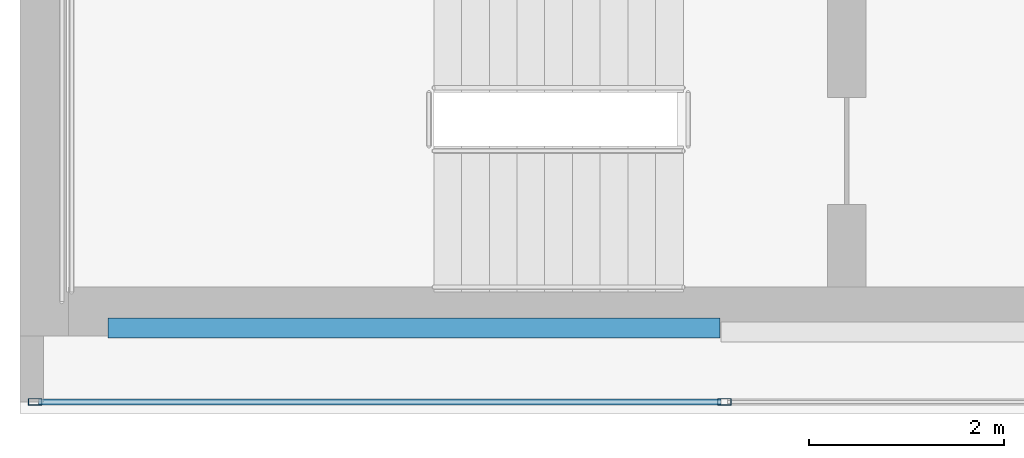
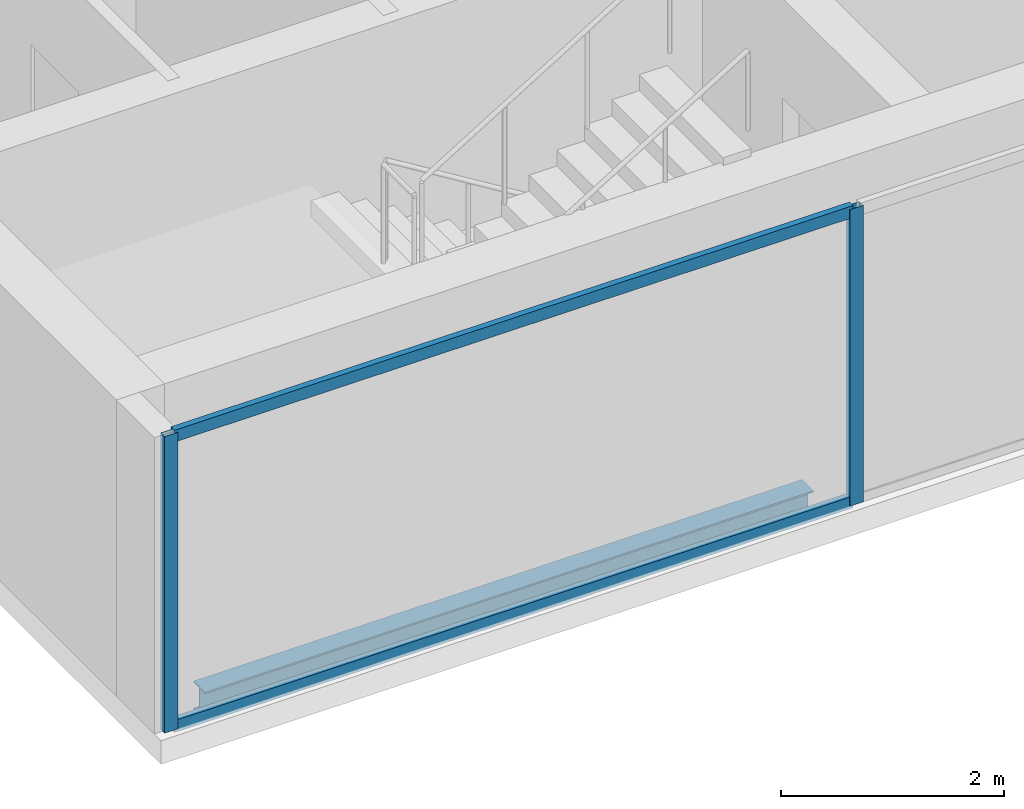
# One storey, part 2 of 23: 4 members, 1 beam, 1 element without a shape of its own.
"""IFC4 building model written with IfcOpenShell, lengths in metres."""

from ifc_helpers import new_model, si_unit, direction, frame, origin, origin_2d, place, context, subcontext, project, spatial, hollow_rectangle, i_section, extrude, material, material_profile, profile_set, type_object, element, aggregate, save


model = new_model("IFC4")

# Units and contexts
model_context = context("Model", 3, precision=1e-05, world=origin(), true_north=direction((0.0, 1.0)))
body_context = subcontext(model_context, "Body", "Model", "MODEL_VIEW")
ifc_project = project(units=[si_unit("LENGTHUNIT", "METRE"), si_unit("AREAUNIT", "SQUARE_METRE"), si_unit("VOLUMEUNIT", "CUBIC_METRE"), si_unit("PLANEANGLEUNIT", "RADIAN"), si_unit("MASSUNIT", "GRAM", prefix="KILO")], contexts=[model_context])

# Site, building, storey
site_placement = place(None, origin())
site = spatial("IfcSite", under=ifc_project, at=site_placement, CompositionType="ELEMENT")
building_placement = place(site_placement, origin())
building = spatial("IfcBuilding", under=site, at=building_placement, Name="Cobrela Telecom Tower", CompositionType="ELEMENT")
storey_placement = place(building_placement, frame((0.0, 0.0, 272.64990234375)))
storey = spatial("IfcBuildingStorey", under=building, at=storey_placement, Name="L71", CompositionType="ELEMENT", Elevation=272.64990234375)

# Beam
ifc_material_1 = material(Name="Steel ASTM A992 Grade 50", Category="steel")
ifc_material_profile_1 = material_profile(ifc_material_1, i_section(OverallWidth=0.205078125, OverallDepth=0.31005859375, WebThickness=0.009521484375, FlangeThickness=0.016357421875, FilletRadius=0.010986328125, at=origin_2d()), Name="W12X50")
ifc_profile_set_1 = profile_set([ifc_material_profile_1], Name="Steel ASTM A992 Grade 50")
beam_type = type_object("IfcBeamType", Name="BM-SPAND-07", PredefinedType="SPANDREL", material=ifc_profile_set_1)
beam_placement = place(storey_placement, frame((0.905029296875, 7.280029296875, -0.414794921875), z_axis=(1.0, 0.0, 0.0), x_axis=(0.0, 1.0, 0.0)))
element("IfcBeam", 1, at=beam_placement, inside=storey, type_object=beam_type, Name="L71 Perimeter Spandrel X01", PredefinedType="SPANDREL", context=body_context, shape_type="SweptSolid", body=[
    extrude(i_section(OverallWidth=0.205078125, OverallDepth=0.31005859375, WebThickness=0.009521484375, FlangeThickness=0.016357421875, FilletRadius=0.010986328125, at=origin_2d()), origin(), (0.0, 0.0, 1.0), 6.2900390625),
])

# Curtain wall, members
ifc_material_2 = material(Name="Anodized Bronze Aluminium 6063-T6", Category="aluminium")
curtain_wall_type = type_object("IfcCurtainWallType", Name="CW-SYS-OFF-HI", PredefinedType="USERDEFINED", material=ifc_material_2)
curtain_wall_placement = place(storey_placement, origin())
curtain_wall = element("IfcCurtainWall", 2, at=curtain_wall_placement, inside=storey, type_object=curtain_wall_type, Name="L71 Unitised Bronze Curtain Wall 15", ObjectType="UNITISED CURTAIN WALL", PredefinedType="USERDEFINED")
ifc_material_profile_2 = material_profile(ifc_material_2, hollow_rectangle(XDim=0.070068359375, YDim=0.139892578125, WallThickness=0.00390625, at=origin_2d()), Name="ALU 70x140x4")
ifc_profile_set_2 = profile_set([ifc_material_profile_2], Name="Anodized Bronze Aluminium 6063-T6")
member_type_1 = type_object("IfcMemberType", Name="CW-SYS-OFF-HI-MUL", PredefinedType="MULLION", material=ifc_profile_set_2)
member_1_placement = place(storey_placement, frame((7.24169921875, 6.52001953125, 0.0), z_axis=(0.0, 0.0, 1.0), x_axis=(0.0, -1.0, 0.0)))
member_1 = element("IfcMember", 3, at=member_1_placement, type_object=member_type_1, Name="CW-OFF-HI mullion 6", PredefinedType="MULLION", context=body_context, shape_type="SweptSolid", body=[
    extrude(hollow_rectangle(XDim=0.070068359375, YDim=0.139892578125, WallThickness=0.00390625, at=origin_2d()), origin(), (0.0, 0.0, 1.0), 3.239990234375),
])
member_2_placement = place(storey_placement, frame((0.155029296875, 6.52001953125, 0.0), z_axis=(0.0, 0.0, 1.0), x_axis=(0.0, -1.0, 0.0)))
member_2 = element("IfcMember", 4, at=member_2_placement, type_object=member_type_1, Name="CW-OFF-HI mullion 7", PredefinedType="MULLION", context=body_context, shape_type="SweptSolid", body=[
    extrude(hollow_rectangle(XDim=0.070068359375, YDim=0.139892578125, WallThickness=0.00390625, at=origin_2d()), origin(), (0.0, 0.0, 1.0), 3.239990234375),
])
ifc_material_profile_3 = material_profile(ifc_material_2, hollow_rectangle(XDim=0.06494140625, YDim=0.1298828125, WallThickness=0.00390625, at=origin_2d()), Name="ALU 65x130x4")
ifc_profile_set_3 = profile_set([ifc_material_profile_3], Name="Anodized Bronze Aluminium 6063-T6")
member_type_2 = type_object("IfcMemberType", Name="CW-SYS-OFF-HI-TRN", PredefinedType="USERDEFINED", material=ifc_profile_set_3)
member_3_placement = place(storey_placement, frame((7.206787109375, 6.52001953125, 0.03271484375), z_axis=(-1.0, 0.0, 0.0), x_axis=(0.0, -1.0, 0.0)))
member_3 = element("IfcMember", 5, at=member_3_placement, type_object=member_type_2, Name="CW-OFF-HI transom 6.1", ObjectType="TRANSOM", PredefinedType="USERDEFINED", context=body_context, shape_type="SweptSolid", body=[
    extrude(hollow_rectangle(XDim=0.06494140625, YDim=0.1298828125, WallThickness=0.00390625, at=origin_2d()), origin(), (0.0, 0.0, 1.0), 7.016845703125),
])
member_4_placement = place(storey_placement, frame((7.206787109375, 6.52001953125, 3.20751953125), z_axis=(-1.0, 0.0, 0.0), x_axis=(0.0, -1.0, 0.0)))
member_4 = element("IfcMember", 6, at=member_4_placement, type_object=member_type_2, Name="CW-OFF-HI transom 6.2", ObjectType="TRANSOM", PredefinedType="USERDEFINED", context=body_context, shape_type="SweptSolid", body=[
    extrude(hollow_rectangle(XDim=0.06494140625, YDim=0.1298828125, WallThickness=0.00390625, at=origin_2d()), origin(), (0.0, 0.0, 1.0), 7.016845703125),
])
aggregate(curtain_wall, [member_1, member_2, member_3, member_4])

save(model, "model.ifc")
